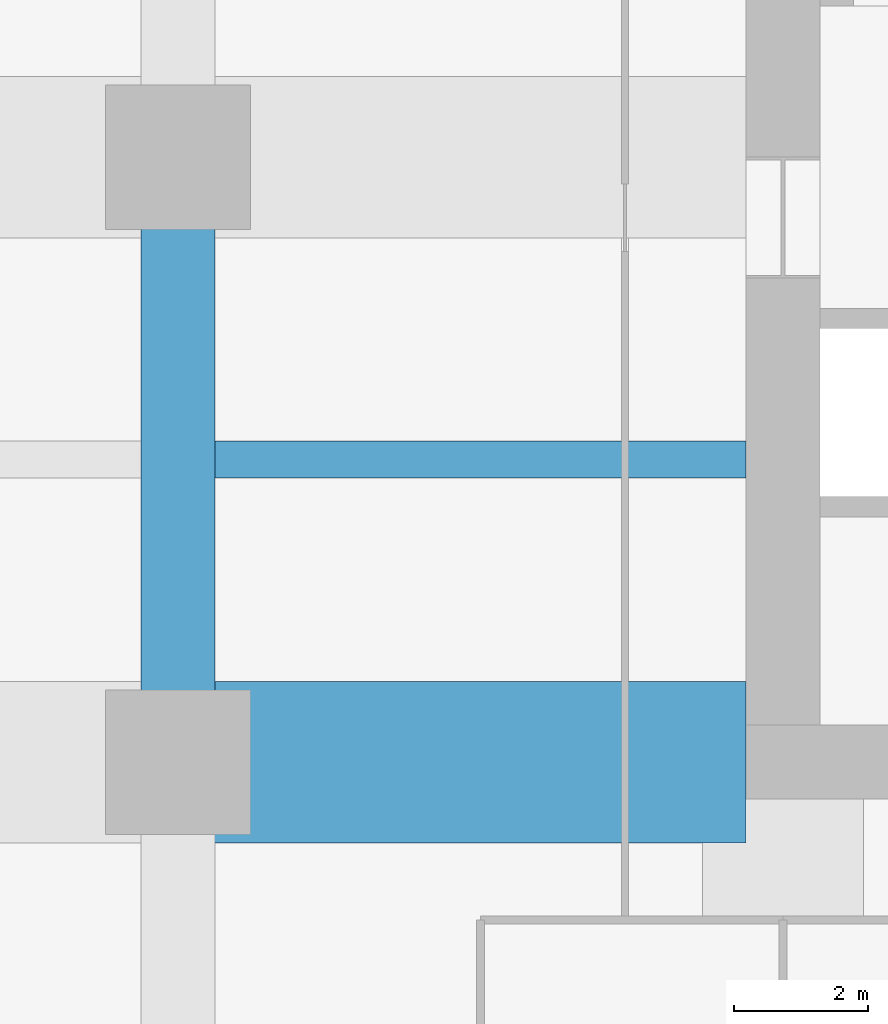
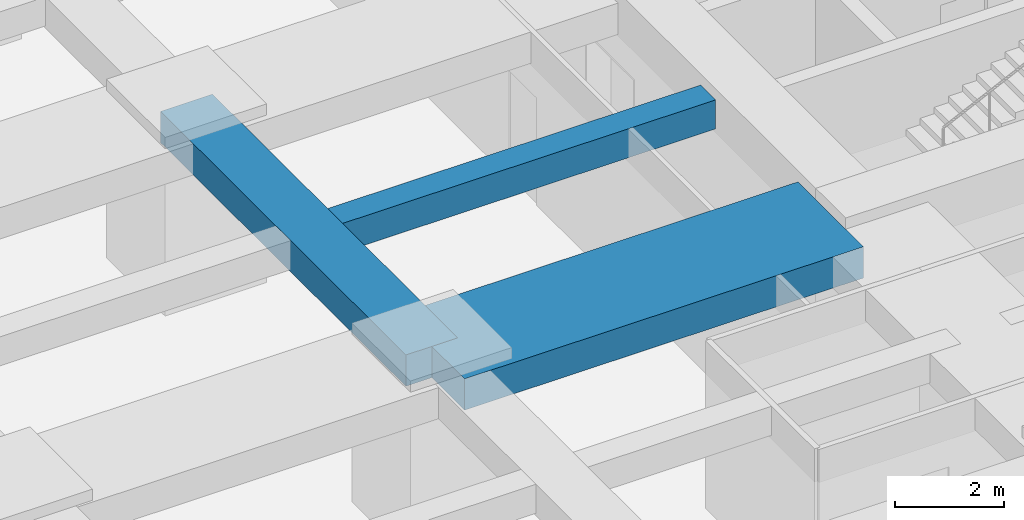
# One storey, part 9 of 44: 3 beams.
"""IFC4 building model written with IfcOpenShell, lengths in metres."""

from ifc_helpers import new_model, si_unit, direction, frame, origin, origin_2d, place, context, subcontext, project, spatial, rectangle, extrude, material, material_profile, profile_set, type_object, element, save


model = new_model("IFC4")

# Units and contexts
model_context = context("Model", 3, precision=1e-05, world=origin(), true_north=direction((0.0, 1.0)))
body_context = subcontext(model_context, "Body", "Model", "MODEL_VIEW")
ifc_project = project(units=[si_unit("LENGTHUNIT", "METRE"), si_unit("AREAUNIT", "SQUARE_METRE"), si_unit("VOLUMEUNIT", "CUBIC_METRE"), si_unit("PLANEANGLEUNIT", "RADIAN"), si_unit("MASSUNIT", "GRAM", prefix="KILO")], contexts=[model_context])

# Site, building, storey
site_placement = place(None, origin())
site = spatial("IfcSite", under=ifc_project, at=site_placement, CompositionType="ELEMENT")
building_placement = place(site_placement, origin())
building = spatial("IfcBuilding", under=site, at=building_placement, Name="Zorevar Civic Tower", CompositionType="ELEMENT")
storey_placement = place(building_placement, frame((0.0, 0.0, 63.800048828125)))
storey = spatial("IfcBuildingStorey", under=building, at=storey_placement, Name="L15", CompositionType="ELEMENT", Elevation=63.800048828125)

# Beams
ifc_material_1 = material(Name="Concrete C50/60", Category="concrete")
ifc_material_profile_1 = material_profile(ifc_material_1, rectangle(XDim=1.10009765625, YDim=0.699951171875, at=origin_2d()), Name="RC 1100x700")
ifc_profile_set_1 = profile_set([ifc_material_profile_1], Name="Concrete C50/60")
beam_type_1 = type_object("IfcBeamType", Name="Beam RC 1100x700", PredefinedType="BEAM", material=ifc_profile_set_1)
beam_1_placement = place(storey_placement, frame((9.0, 18.0, 3.39990234375), z_axis=(0.0, 1.0, 0.0), x_axis=(-1.0, 0.0, 0.0)))
element("IfcBeam", 1, at=beam_1_placement, inside=storey, type_object=beam_type_1, Name="Girder L16", PredefinedType="BEAM", context=body_context, shape_type="SweptSolid", body=[
    extrude(rectangle(XDim=1.10009765625, YDim=0.699951171875, at=origin_2d()), origin(), (0.0, 0.0, 1.0), 9.0),
])
ifc_material_2 = material(Name="Concrete C50/60", Category="concrete")
ifc_material_profile_2 = material_profile(ifc_material_2, rectangle(XDim=2.39990234375, YDim=0.699951171875, at=origin_2d()), Name="RC 2400x700")
ifc_profile_set_2 = profile_set([ifc_material_profile_2], Name="Concrete C50/60")
beam_type_2 = type_object("IfcBeamType", Name="Beam RC 2400x700", PredefinedType="BEAM", material=ifc_profile_set_2)
beam_2_placement = place(storey_placement, frame((9.0, 18.0, 3.39990234375), z_axis=(1.0, 0.0, 0.0), x_axis=(0.0, 1.0, 0.0)))
element("IfcBeam", 2, at=beam_2_placement, inside=storey, type_object=beam_type_2, Name="Girder L16", PredefinedType="BEAM", context=body_context, shape_type="SweptSolid", body=[
    extrude(rectangle(XDim=2.39990234375, YDim=0.699951171875, at=origin_2d()), origin(), (0.0, 0.0, 1.0), 8.449951171875),
])
ifc_material_3 = material(Name="Concrete C50/60", Category="concrete")
ifc_material_profile_3 = material_profile(ifc_material_3, rectangle(XDim=0.550048828125, YDim=0.64990234375, at=origin_2d()), Name="RC 550x650")
ifc_profile_set_3 = profile_set([ifc_material_profile_3], Name="Concrete C50/60")
beam_type_3 = type_object("IfcBeamType", Name="Beam RC 550x650", PredefinedType="BEAM", material=ifc_profile_set_3)
beam_3_placement = place(storey_placement, frame((9.550048828125, 22.5, 3.425048828125), z_axis=(1.0, 0.0, 0.0), x_axis=(0.0, 1.0, 0.0)))
element("IfcBeam", 3, at=beam_3_placement, inside=storey, type_object=beam_type_3, Name="Secondary beam L16", PredefinedType="BEAM", context=body_context, shape_type="SweptSolid", body=[
    extrude(rectangle(XDim=0.550048828125, YDim=0.64990234375, at=origin_2d()), origin(), (0.0, 0.0, 1.0), 7.89990234375),
])

save(model, "model.ifc")
